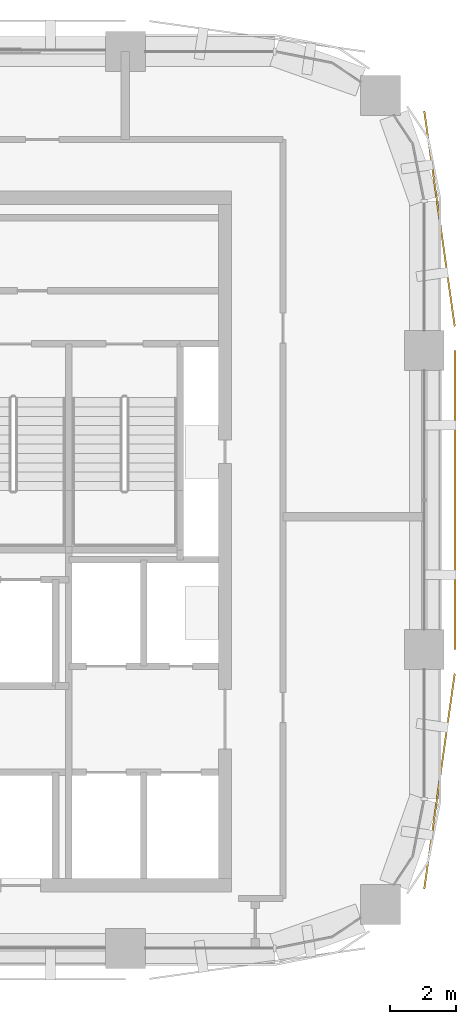
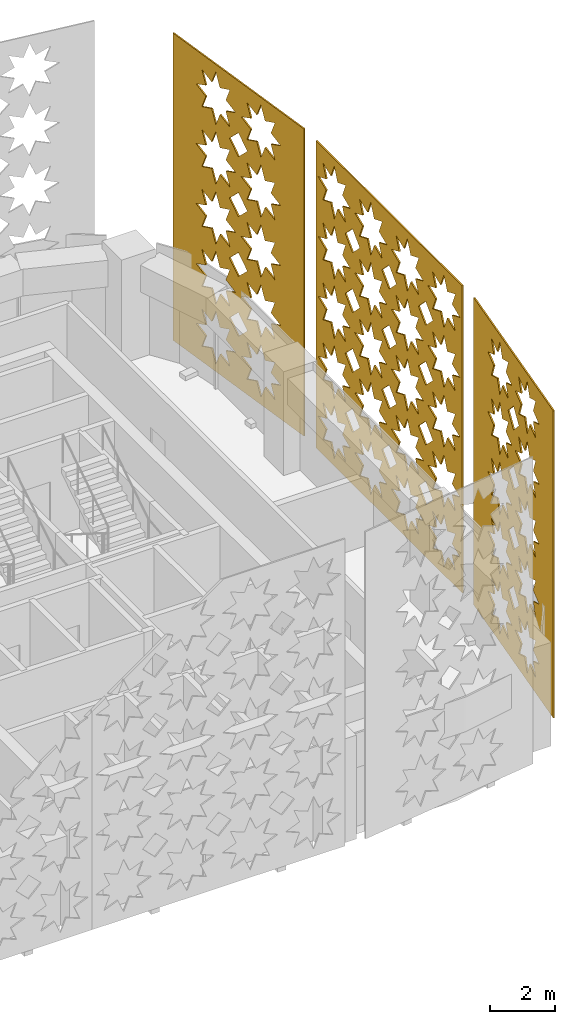
# One storey, part 15 of 15: 3 coverings.
"""IFC4 building model written with IfcOpenShell, lengths in metres."""

from ifc_helpers import new_model, si_unit, direction, frame, origin, place, context, subcontext, project, spatial, polyline, outline, extrude, material, layer, layer_set, type_object, element, save


model = new_model("IFC4")

# Units and contexts
model_context = context("Model", 3, precision=1e-05, world=origin(), true_north=direction((0.0, 1.0)))
body_context = subcontext(model_context, "Body", "Model", "MODEL_VIEW")
ifc_project = project(units=[si_unit("LENGTHUNIT", "METRE"), si_unit("AREAUNIT", "SQUARE_METRE"), si_unit("VOLUMEUNIT", "CUBIC_METRE"), si_unit("PLANEANGLEUNIT", "RADIAN"), si_unit("MASSUNIT", "GRAM", prefix="KILO")], contexts=[model_context])

# Site, building, storey
site_placement = place(None, origin())
site = spatial("IfcSite", under=ifc_project, at=site_placement, CompositionType="ELEMENT")
building_placement = place(site_placement, origin())
building = spatial("IfcBuilding", under=site, at=building_placement, Name="Tessera Arch", CompositionType="ELEMENT")
storey_placement = place(building_placement, frame((0.0, 0.0, 257.89990234375)))
storey = spatial("IfcBuildingStorey", under=building, at=storey_placement, Name="L62", CompositionType="ELEMENT", Elevation=257.89990234375)

# Coverings
ifc_material_1 = material(Name="Anodised aluminium pale metal", Category="aluminium")
ifc_layer_1 = layer(ifc_material_1, 0.050048828125)
ifc_layer_set_1 = layer_set([ifc_layer_1], Name="Pierced screen panel corner bay")
covering_type_1 = type_object("IfcCoveringType", Name="Pierced screen panel corner bay", PredefinedType="CLADDING", material=ifc_layer_set_1)
covering_1_placement = place(storey_placement, frame((54.89111328125, 45.72607421875, 11.7001953125), z_axis=(-0.990141011378, -0.140074186016, 0.0), x_axis=(-0.140074186016, 0.990141011378, 0.0)))
element("IfcCovering", 1, at=covering_1_placement, inside=storey, type_object=covering_type_1, Name="SCREEN pierced panel E54.27/1 L62-L64", PredefinedType="CLADDING", context=body_context, shape_type="SweptSolid", body=[
    extrude(outline(polyline([(0.0, 0.0), (6.546475218445481, 0.0), (6.546475218445481, 11.5400390625), (0.0, 11.5400390625), (0.0, 0.0)]), holes=[polyline([(3.1378926073747033, 10.27001953125), (2.646957140062835, 10.06298828125), (2.8479028079497066, 9.570068359375), (2.354999273675671, 9.77099609375), (2.147907671256942, 9.280029296875), (1.941990539265672, 9.77099609375), (1.4481200704102128, 9.570068359375), (1.6490657382970841, 10.06298828125), (1.158130270985216, 10.27001953125), (1.6490657382970841, 10.47705078125), (1.4481200704102128, 10.97021484375), (1.941990539265672, 10.76904296875), (2.147907671256942, 11.260009765625), (2.354999273675671, 10.76904296875), (2.8479028079497066, 10.97021484375), (2.646957140062835, 10.47705078125), (3.1378926073747033, 10.27001953125)]), polyline([(3.1378926073747033, 8.02001953125), (2.646957140062835, 7.81298828125), (2.8479028079497066, 7.320068359375), (2.354999273675671, 7.52099609375), (2.147907671256942, 7.030029296875), (1.941990539265672, 7.52099609375), (1.4481200704102128, 7.320068359375), (1.6490657382970841, 7.81298828125), (1.158130270985216, 8.02001953125), (1.6490657382970841, 8.22705078125), (1.4481200704102128, 8.72021484375), (1.941990539265672, 8.51904296875), (2.147907671256942, 9.010009765625), (2.354999273675671, 8.51904296875), (2.8479028079497066, 8.72021484375), (2.646957140062835, 8.22705078125), (3.1378926073747033, 8.02001953125)]), polyline([(3.1378926073747033, 5.77001953125), (2.646957140062835, 5.56298828125), (2.8479028079497066, 5.070068359375), (2.354999273675671, 5.27099609375), (2.147907671256942, 4.780029296875), (1.941990539265672, 5.27099609375), (1.4481200704102128, 5.070068359375), (1.6490657382970841, 5.56298828125), (1.158130270985216, 5.77001953125), (1.6490657382970841, 5.97705078125), (1.4481200704102128, 6.47021484375), (1.941990539265672, 6.26904296875), (2.147907671256942, 6.760009765625), (2.354999273675671, 6.26904296875), (2.8479028079497066, 6.47021484375), (2.646957140062835, 5.97705078125), (3.1378926073747033, 5.77001953125)]), polyline([(3.1378926073747033, 3.52001953125), (2.646957140062835, 3.31298828125), (2.8479028079497066, 2.820068359375), (2.354999273675671, 3.02099609375), (2.147907671256942, 2.530029296875), (1.941990539265672, 3.02099609375), (1.4481200704102128, 2.820068359375), (1.6490657382970841, 3.31298828125), (1.158130270985216, 3.52001953125), (1.6490657382970841, 3.72705078125), (1.4481200704102128, 4.22021484375), (1.941990539265672, 4.01904296875), (2.147907671256942, 4.510009765625), (2.354999273675671, 4.01904296875), (2.8479028079497066, 4.22021484375), (2.646957140062835, 3.72705078125), (3.1378926073747033, 3.52001953125)]), polyline([(3.1378926073747033, 1.27001953125), (2.646957140062835, 1.06298828125), (2.8479028079497066, 0.570068359375), (2.354999273675671, 0.77099609375), (2.147907671256942, 0.280029296875), (1.941990539265672, 0.77099609375), (1.4481200704102128, 0.570068359375), (1.6490657382970841, 1.06298828125), (1.158130270985216, 1.27001953125), (1.6490657382970841, 1.47705078125), (1.4481200704102128, 1.97021484375), (1.941990539265672, 1.76904296875), (2.147907671256942, 2.260009765625), (2.354999273675671, 1.76904296875), (2.8479028079497066, 1.97021484375), (2.646957140062835, 1.47705078125), (3.1378926073747033, 1.27001953125)]), polyline([(5.387861480169554, 10.27001953125), (4.896926012857686, 10.06298828125), (5.097871680744557, 9.570068359375), (4.604968146470521, 9.77099609375), (4.398118277697149, 9.280029296875), (4.191959412060523, 9.77099609375), (3.698088943205064, 9.570068359375), (3.899034611091935, 10.06298828125), (3.408099143780067, 10.27001953125), (3.899034611091935, 10.47705078125), (3.698088943205064, 10.97021484375), (4.191959412060523, 10.76904296875), (4.398118277697149, 11.260009765625), (4.604968146470521, 10.76904296875), (5.097871680744557, 10.97021484375), (4.896926012857686, 10.47705078125), (5.387861480169554, 10.27001953125)]), polyline([(5.387861480169554, 8.02001953125), (4.896926012857686, 7.81298828125), (5.097871680744557, 7.320068359375), (4.604968146470521, 7.52099609375), (4.398118277697149, 7.030029296875), (4.191959412060523, 7.52099609375), (3.698088943205064, 7.320068359375), (3.899034611091935, 7.81298828125), (3.408099143780067, 8.02001953125), (3.899034611091935, 8.22705078125), (3.698088943205064, 8.72021484375), (4.191959412060523, 8.51904296875), (4.398118277697149, 9.010009765625), (4.604968146470521, 8.51904296875), (5.097871680744557, 8.72021484375), (4.896926012857686, 8.22705078125), (5.387861480169554, 8.02001953125)]), polyline([(5.387861480169554, 5.77001953125), (4.896926012857686, 5.56298828125), (5.097871680744557, 5.070068359375), (4.604968146470521, 5.27099609375), (4.398118277697149, 4.780029296875), (4.191959412060523, 5.27099609375), (3.698088943205064, 5.070068359375), (3.899034611091935, 5.56298828125), (3.408099143780067, 5.77001953125), (3.899034611091935, 5.97705078125), (3.698088943205064, 6.47021484375), (4.191959412060523, 6.26904296875), (4.398118277697149, 6.760009765625), (4.604968146470521, 6.26904296875), (5.097871680744557, 6.47021484375), (4.896926012857686, 5.97705078125), (5.387861480169554, 5.77001953125)]), polyline([(5.387861480169554, 3.52001953125), (4.896926012857686, 3.31298828125), (5.097871680744557, 2.820068359375), (4.604968146470521, 3.02099609375), (4.398118277697149, 2.530029296875), (4.191959412060523, 3.02099609375), (3.698088943205064, 2.820068359375), (3.899034611091935, 3.31298828125), (3.408099143780067, 3.52001953125), (3.899034611091935, 3.72705078125), (3.698088943205064, 4.22021484375), (4.191959412060523, 4.01904296875), (4.398118277697149, 4.510009765625), (4.604968146470521, 4.01904296875), (5.097871680744557, 4.22021484375), (4.896926012857686, 3.72705078125), (5.387861480169554, 3.52001953125)]), polyline([(5.387861480169554, 1.27001953125), (4.896926012857686, 1.06298828125), (5.097871680744557, 0.570068359375), (4.604968146470521, 0.77099609375), (4.398118277697149, 0.280029296875), (4.191959412060523, 0.77099609375), (3.698088943205064, 0.570068359375), (3.899034611091935, 1.06298828125), (3.408099143780067, 1.27001953125), (3.899034611091935, 1.47705078125), (3.698088943205064, 1.97021484375), (4.191959412060523, 1.76904296875), (4.398118277697149, 2.260009765625), (4.604968146470521, 1.76904296875), (5.097871680744557, 1.97021484375), (4.896926012857686, 1.47705078125), (5.387861480169554, 1.27001953125)]), polyline([(3.7229828105764913, 9.14501953125), (3.2729958755773856, 8.695068359375), (2.823008940578279, 9.14501953125), (3.2729958755773856, 9.59521484375), (3.7229828105764913, 9.14501953125)]), polyline([(3.7229828105764913, 6.89501953125), (3.2729958755773856, 6.445068359375), (2.823008940578279, 6.89501953125), (3.2729958755773856, 7.34521484375), (3.7229828105764913, 6.89501953125)]), polyline([(3.7229828105764913, 4.64501953125), (3.2729958755773856, 4.195068359375), (2.823008940578279, 4.64501953125), (3.2729958755773856, 5.09521484375), (3.7229828105764913, 4.64501953125)]), polyline([(3.7229828105764913, 2.39501953125), (3.2729958755773856, 1.945068359375), (2.823008940578279, 2.39501953125), (3.2729958755773856, 2.84521484375), (3.7229828105764913, 2.39501953125)])]), origin(), (0.0, 0.0, -1.0), 0.050048828125),
])
covering_2_placement = place(storey_placement, frame((53.97412109375, 28.7919921875, 11.7001953125), z_axis=(-0.990141011378, 0.140074186016, 0.0), x_axis=(0.140074186016, 0.990141011378, 0.0)))
element("IfcCovering", 2, at=covering_2_placement, inside=storey, type_object=covering_type_1, Name="SCREEN pierced panel E54.27/2 L62-L64", PredefinedType="CLADDING", context=body_context, shape_type="SweptSolid", body=[
    extrude(outline(polyline([(0.0, 0.0), (6.546475218445481, 0.0), (6.546475218445481, 11.5400390625), (0.0, 11.5400390625), (0.0, 0.0)]), holes=[polyline([(3.137858409575383, 10.27001953125), (2.6469229422635148, 10.06298828125), (2.8479028079497066, 9.570068359375), (2.354999273675671, 9.77099609375), (2.1478734734576217, 9.280029296875), (1.941990539265672, 9.77099609375), (1.447878336764857, 9.570068359375), (1.6490657382970841, 10.06298828125), (1.15788853733986, 10.27001953125), (1.6490657382970841, 10.47705078125), (1.447878336764857, 10.97021484375), (1.941990539265672, 10.76904296875), (2.1478734734576217, 11.260009765625), (2.354999273675671, 10.76904296875), (2.8479028079497066, 10.97021484375), (2.6469229422635148, 10.47705078125), (3.137858409575383, 10.27001953125)]), polyline([(3.137858409575383, 8.02001953125), (2.6469229422635148, 7.81298828125), (2.8479028079497066, 7.320068359375), (2.354999273675671, 7.52099609375), (2.1478734734576217, 7.030029296875), (1.941990539265672, 7.52099609375), (1.447878336764857, 7.320068359375), (1.6490657382970841, 7.81298828125), (1.15788853733986, 8.02001953125), (1.6490657382970841, 8.22705078125), (1.447878336764857, 8.72021484375), (1.941990539265672, 8.51904296875), (2.1478734734576217, 9.010009765625), (2.354999273675671, 8.51904296875), (2.8479028079497066, 8.72021484375), (2.6469229422635148, 8.22705078125), (3.137858409575383, 8.02001953125)]), polyline([(3.137858409575383, 5.77001953125), (2.6469229422635148, 5.56298828125), (2.8479028079497066, 5.070068359375), (2.354999273675671, 5.27099609375), (2.1478734734576217, 4.780029296875), (1.941990539265672, 5.27099609375), (1.447878336764857, 5.070068359375), (1.6490657382970841, 5.56298828125), (1.15788853733986, 5.77001953125), (1.6490657382970841, 5.97705078125), (1.447878336764857, 6.47021484375), (1.941990539265672, 6.26904296875), (2.1478734734576217, 6.760009765625), (2.354999273675671, 6.26904296875), (2.8479028079497066, 6.47021484375), (2.6469229422635148, 5.97705078125), (3.137858409575383, 5.77001953125)]), polyline([(3.137858409575383, 3.52001953125), (2.6469229422635148, 3.31298828125), (2.8479028079497066, 2.820068359375), (2.354999273675671, 3.02099609375), (2.1478734734576217, 2.530029296875), (1.941990539265672, 3.02099609375), (1.447878336764857, 2.820068359375), (1.6490657382970841, 3.31298828125), (1.15788853733986, 3.52001953125), (1.6490657382970841, 3.72705078125), (1.447878336764857, 4.22021484375), (1.941990539265672, 4.01904296875), (2.1478734734576217, 4.510009765625), (2.354999273675671, 4.01904296875), (2.8479028079497066, 4.22021484375), (2.6469229422635148, 3.72705078125), (3.137858409575383, 3.52001953125)]), polyline([(3.137858409575383, 1.27001953125), (2.6469229422635148, 1.06298828125), (2.8479028079497066, 0.570068359375), (2.354999273675671, 0.77099609375), (2.1478734734576217, 0.280029296875), (1.941990539265672, 0.77099609375), (1.447878336764857, 0.570068359375), (1.6490657382970841, 1.06298828125), (1.15788853733986, 1.27001953125), (1.6490657382970841, 1.47705078125), (1.447878336764857, 1.97021484375), (1.941990539265672, 1.76904296875), (2.1478734734576217, 2.260009765625), (2.354999273675671, 1.76904296875), (2.8479028079497066, 1.97021484375), (2.6469229422635148, 1.47705078125), (3.137858409575383, 1.27001953125)]), polyline([(5.387827282370234, 10.27001953125), (4.896891815058366, 10.06298828125), (5.097871680744557, 9.570068359375), (4.604968146470521, 9.77099609375), (4.397842346252473, 9.280029296875), (4.191959412060523, 9.77099609375), (3.698088943205064, 9.570068359375), (3.899034611091935, 10.06298828125), (3.407857410134711, 10.27001953125), (3.899034611091935, 10.47705078125), (3.698088943205064, 10.97021484375), (4.191959412060523, 10.76904296875), (4.397842346252473, 11.260009765625), (4.604968146470521, 10.76904296875), (5.097871680744557, 10.97021484375), (4.896891815058366, 10.47705078125), (5.387827282370234, 10.27001953125)]), polyline([(5.387827282370234, 8.02001953125), (4.896891815058366, 7.81298828125), (5.097871680744557, 7.320068359375), (4.604968146470521, 7.52099609375), (4.397842346252473, 7.030029296875), (4.191959412060523, 7.52099609375), (3.698088943205064, 7.320068359375), (3.899034611091935, 7.81298828125), (3.407857410134711, 8.02001953125), (3.899034611091935, 8.22705078125), (3.698088943205064, 8.72021484375), (4.191959412060523, 8.51904296875), (4.397842346252473, 9.010009765625), (4.604968146470521, 8.51904296875), (5.097871680744557, 8.72021484375), (4.896891815058366, 8.22705078125), (5.387827282370234, 8.02001953125)]), polyline([(5.387827282370234, 5.77001953125), (4.896891815058366, 5.56298828125), (5.097871680744557, 5.070068359375), (4.604968146470521, 5.27099609375), (4.397842346252473, 4.780029296875), (4.191959412060523, 5.27099609375), (3.698088943205064, 5.070068359375), (3.899034611091935, 5.56298828125), (3.407857410134711, 5.77001953125), (3.899034611091935, 5.97705078125), (3.698088943205064, 6.47021484375), (4.191959412060523, 6.26904296875), (4.397842346252473, 6.760009765625), (4.604968146470521, 6.26904296875), (5.097871680744557, 6.47021484375), (4.896891815058366, 5.97705078125), (5.387827282370234, 5.77001953125)]), polyline([(5.387827282370234, 3.52001953125), (4.896891815058366, 3.31298828125), (5.097871680744557, 2.820068359375), (4.604968146470521, 3.02099609375), (4.397842346252473, 2.530029296875), (4.191959412060523, 3.02099609375), (3.698088943205064, 2.820068359375), (3.899034611091935, 3.31298828125), (3.407857410134711, 3.52001953125), (3.899034611091935, 3.72705078125), (3.698088943205064, 4.22021484375), (4.191959412060523, 4.01904296875), (4.397842346252473, 4.510009765625), (4.604968146470521, 4.01904296875), (5.097871680744557, 4.22021484375), (4.896891815058366, 3.72705078125), (5.387827282370234, 3.52001953125)]), polyline([(5.387827282370234, 1.27001953125), (4.896891815058366, 1.06298828125), (5.097871680744557, 0.570068359375), (4.604968146470521, 0.77099609375), (4.397842346252473, 0.280029296875), (4.191959412060523, 0.77099609375), (3.698088943205064, 0.570068359375), (3.899034611091935, 1.06298828125), (3.407857410134711, 1.27001953125), (3.899034611091935, 1.47705078125), (3.698088943205064, 1.97021484375), (4.191959412060523, 1.76904296875), (4.397842346252473, 2.260009765625), (4.604968146470521, 1.76904296875), (5.097871680744557, 1.97021484375), (4.896891815058366, 1.47705078125), (5.387827282370234, 1.27001953125)]), polyline([(3.7229828105764913, 9.14501953125), (3.2729958755773856, 8.695068359375), (2.8229747427789587, 9.14501953125), (3.2729958755773856, 9.59521484375), (3.7229828105764913, 9.14501953125)]), polyline([(3.7229828105764913, 6.89501953125), (3.2729958755773856, 6.445068359375), (2.8229747427789587, 6.89501953125), (3.2729958755773856, 7.34521484375), (3.7229828105764913, 6.89501953125)]), polyline([(3.7229828105764913, 4.64501953125), (3.2729958755773856, 4.195068359375), (2.8229747427789587, 4.64501953125), (3.2729958755773856, 5.09521484375), (3.7229828105764913, 4.64501953125)]), polyline([(3.7229828105764913, 2.39501953125), (3.2729958755773856, 1.945068359375), (2.8229747427789587, 2.39501953125), (3.2729958755773856, 2.84521484375), (3.7229828105764913, 2.39501953125)])]), origin(), (0.0, 0.0, -1.0), 0.050048828125),
])
ifc_material_2 = material(Name="Anodised aluminium pale metal", Category="aluminium")
ifc_layer_2 = layer(ifc_material_2, 0.050048828125)
ifc_layer_set_2 = layer_set([ifc_layer_2], Name="Pierced screen panel straight bay")
covering_type_2 = type_object("IfcCoveringType", Name="Pierced screen panel straight bay", PredefinedType="CLADDING", material=ifc_layer_set_2)
covering_3_placement = place(storey_placement, frame((54.89990234375, 36.0, 11.7001953125), z_axis=(-1.0, 0.0, 0.0), x_axis=(0.0, 1.0, 0.0)))
element("IfcCovering", 3, at=covering_3_placement, inside=storey, type_object=covering_type_2, Name="SCREEN pierced panel E54.27/0 L62-L64", PredefinedType="CLADDING", context=body_context, shape_type="SweptSolid", body=[
    extrude(outline(polyline([(0.0, 0.0), (9.0, 0.0), (9.0, 11.5400390625), (0.0, 11.5400390625), (0.0, 0.0)]), holes=[polyline([(2.114990234375, 10.27001953125), (1.6240234375, 10.06298828125), (1.824951171875, 9.570068359375), (1.33203125, 9.77099609375), (1.125, 9.280029296875), (0.91796875, 9.77099609375), (0.425048828125, 9.570068359375), (0.6259765625, 10.06298828125), (0.135009765625, 10.27001953125), (0.6259765625, 10.47705078125), (0.425048828125, 10.97021484375), (0.91796875, 10.76904296875), (1.125, 11.260009765625), (1.33203125, 10.76904296875), (1.824951171875, 10.97021484375), (1.6240234375, 10.47705078125), (2.114990234375, 10.27001953125)]), polyline([(2.114990234375, 8.02001953125), (1.6240234375, 7.81298828125), (1.824951171875, 7.320068359375), (1.33203125, 7.52099609375), (1.125, 7.030029296875), (0.91796875, 7.52099609375), (0.425048828125, 7.320068359375), (0.6259765625, 7.81298828125), (0.135009765625, 8.02001953125), (0.6259765625, 8.22705078125), (0.425048828125, 8.72021484375), (0.91796875, 8.51904296875), (1.125, 9.010009765625), (1.33203125, 8.51904296875), (1.824951171875, 8.72021484375), (1.6240234375, 8.22705078125), (2.114990234375, 8.02001953125)]), polyline([(2.114990234375, 5.77001953125), (1.6240234375, 5.56298828125), (1.824951171875, 5.070068359375), (1.33203125, 5.27099609375), (1.125, 4.780029296875), (0.91796875, 5.27099609375), (0.425048828125, 5.070068359375), (0.6259765625, 5.56298828125), (0.135009765625, 5.77001953125), (0.6259765625, 5.97705078125), (0.425048828125, 6.47021484375), (0.91796875, 6.26904296875), (1.125, 6.760009765625), (1.33203125, 6.26904296875), (1.824951171875, 6.47021484375), (1.6240234375, 5.97705078125), (2.114990234375, 5.77001953125)]), polyline([(2.114990234375, 3.52001953125), (1.6240234375, 3.31298828125), (1.824951171875, 2.820068359375), (1.33203125, 3.02099609375), (1.125, 2.530029296875), (0.91796875, 3.02099609375), (0.425048828125, 2.820068359375), (0.6259765625, 3.31298828125), (0.135009765625, 3.52001953125), (0.6259765625, 3.72705078125), (0.425048828125, 4.22021484375), (0.91796875, 4.01904296875), (1.125, 4.510009765625), (1.33203125, 4.01904296875), (1.824951171875, 4.22021484375), (1.6240234375, 3.72705078125), (2.114990234375, 3.52001953125)]), polyline([(2.114990234375, 1.27001953125), (1.6240234375, 1.06298828125), (1.824951171875, 0.570068359375), (1.33203125, 0.77099609375), (1.125, 0.280029296875), (0.91796875, 0.77099609375), (0.425048828125, 0.570068359375), (0.6259765625, 1.06298828125), (0.135009765625, 1.27001953125), (0.6259765625, 1.47705078125), (0.425048828125, 1.97021484375), (0.91796875, 1.76904296875), (1.125, 2.260009765625), (1.33203125, 1.76904296875), (1.824951171875, 1.97021484375), (1.6240234375, 1.47705078125), (2.114990234375, 1.27001953125)]), polyline([(4.364990234375, 10.27001953125), (3.8740234375, 10.06298828125), (4.074951171875, 9.570068359375), (3.58203125, 9.77099609375), (3.375, 9.280029296875), (3.16796875, 9.77099609375), (2.675048828125, 9.570068359375), (2.8759765625, 10.06298828125), (2.385009765625, 10.27001953125), (2.8759765625, 10.47705078125), (2.675048828125, 10.97021484375), (3.16796875, 10.76904296875), (3.375, 11.260009765625), (3.58203125, 10.76904296875), (4.074951171875, 10.97021484375), (3.8740234375, 10.47705078125), (4.364990234375, 10.27001953125)]), polyline([(4.364990234375, 8.02001953125), (3.8740234375, 7.81298828125), (4.074951171875, 7.320068359375), (3.58203125, 7.52099609375), (3.375, 7.030029296875), (3.16796875, 7.52099609375), (2.675048828125, 7.320068359375), (2.8759765625, 7.81298828125), (2.385009765625, 8.02001953125), (2.8759765625, 8.22705078125), (2.675048828125, 8.72021484375), (3.16796875, 8.51904296875), (3.375, 9.010009765625), (3.58203125, 8.51904296875), (4.074951171875, 8.72021484375), (3.8740234375, 8.22705078125), (4.364990234375, 8.02001953125)]), polyline([(4.364990234375, 5.77001953125), (3.8740234375, 5.56298828125), (4.074951171875, 5.070068359375), (3.58203125, 5.27099609375), (3.375, 4.780029296875), (3.16796875, 5.27099609375), (2.675048828125, 5.070068359375), (2.8759765625, 5.56298828125), (2.385009765625, 5.77001953125), (2.8759765625, 5.97705078125), (2.675048828125, 6.47021484375), (3.16796875, 6.26904296875), (3.375, 6.760009765625), (3.58203125, 6.26904296875), (4.074951171875, 6.47021484375), (3.8740234375, 5.97705078125), (4.364990234375, 5.77001953125)]), polyline([(4.364990234375, 3.52001953125), (3.8740234375, 3.31298828125), (4.074951171875, 2.820068359375), (3.58203125, 3.02099609375), (3.375, 2.530029296875), (3.16796875, 3.02099609375), (2.675048828125, 2.820068359375), (2.8759765625, 3.31298828125), (2.385009765625, 3.52001953125), (2.8759765625, 3.72705078125), (2.675048828125, 4.22021484375), (3.16796875, 4.01904296875), (3.375, 4.510009765625), (3.58203125, 4.01904296875), (4.074951171875, 4.22021484375), (3.8740234375, 3.72705078125), (4.364990234375, 3.52001953125)]), polyline([(4.364990234375, 1.27001953125), (3.8740234375, 1.06298828125), (4.074951171875, 0.570068359375), (3.58203125, 0.77099609375), (3.375, 0.280029296875), (3.16796875, 0.77099609375), (2.675048828125, 0.570068359375), (2.8759765625, 1.06298828125), (2.385009765625, 1.27001953125), (2.8759765625, 1.47705078125), (2.675048828125, 1.97021484375), (3.16796875, 1.76904296875), (3.375, 2.260009765625), (3.58203125, 1.76904296875), (4.074951171875, 1.97021484375), (3.8740234375, 1.47705078125), (4.364990234375, 1.27001953125)]), polyline([(6.614990234375, 10.27001953125), (6.1240234375, 10.06298828125), (6.324951171875, 9.570068359375), (5.83203125, 9.77099609375), (5.625, 9.280029296875), (5.41796875, 9.77099609375), (4.925048828125, 9.570068359375), (5.1259765625, 10.06298828125), (4.635009765625, 10.27001953125), (5.1259765625, 10.47705078125), (4.925048828125, 10.97021484375), (5.41796875, 10.76904296875), (5.625, 11.260009765625), (5.83203125, 10.76904296875), (6.324951171875, 10.97021484375), (6.1240234375, 10.47705078125), (6.614990234375, 10.27001953125)]), polyline([(6.614990234375, 8.02001953125), (6.1240234375, 7.81298828125), (6.324951171875, 7.320068359375), (5.83203125, 7.52099609375), (5.625, 7.030029296875), (5.41796875, 7.52099609375), (4.925048828125, 7.320068359375), (5.1259765625, 7.81298828125), (4.635009765625, 8.02001953125), (5.1259765625, 8.22705078125), (4.925048828125, 8.72021484375), (5.41796875, 8.51904296875), (5.625, 9.010009765625), (5.83203125, 8.51904296875), (6.324951171875, 8.72021484375), (6.1240234375, 8.22705078125), (6.614990234375, 8.02001953125)]), polyline([(6.614990234375, 5.77001953125), (6.1240234375, 5.56298828125), (6.324951171875, 5.070068359375), (5.83203125, 5.27099609375), (5.625, 4.780029296875), (5.41796875, 5.27099609375), (4.925048828125, 5.070068359375), (5.1259765625, 5.56298828125), (4.635009765625, 5.77001953125), (5.1259765625, 5.97705078125), (4.925048828125, 6.47021484375), (5.41796875, 6.26904296875), (5.625, 6.760009765625), (5.83203125, 6.26904296875), (6.324951171875, 6.47021484375), (6.1240234375, 5.97705078125), (6.614990234375, 5.77001953125)]), polyline([(6.614990234375, 3.52001953125), (6.1240234375, 3.31298828125), (6.324951171875, 2.820068359375), (5.83203125, 3.02099609375), (5.625, 2.530029296875), (5.41796875, 3.02099609375), (4.925048828125, 2.820068359375), (5.1259765625, 3.31298828125), (4.635009765625, 3.52001953125), (5.1259765625, 3.72705078125), (4.925048828125, 4.22021484375), (5.41796875, 4.01904296875), (5.625, 4.510009765625), (5.83203125, 4.01904296875), (6.324951171875, 4.22021484375), (6.1240234375, 3.72705078125), (6.614990234375, 3.52001953125)]), polyline([(6.614990234375, 1.27001953125), (6.1240234375, 1.06298828125), (6.324951171875, 0.570068359375), (5.83203125, 0.77099609375), (5.625, 0.280029296875), (5.41796875, 0.77099609375), (4.925048828125, 0.570068359375), (5.1259765625, 1.06298828125), (4.635009765625, 1.27001953125), (5.1259765625, 1.47705078125), (4.925048828125, 1.97021484375), (5.41796875, 1.76904296875), (5.625, 2.260009765625), (5.83203125, 1.76904296875), (6.324951171875, 1.97021484375), (6.1240234375, 1.47705078125), (6.614990234375, 1.27001953125)]), polyline([(8.864990234375, 10.27001953125), (8.3740234375, 10.06298828125), (8.574951171875, 9.570068359375), (8.08203125, 9.77099609375), (7.875, 9.280029296875), (7.66796875, 9.77099609375), (7.175048828125, 9.570068359375), (7.3759765625, 10.06298828125), (6.885009765625, 10.27001953125), (7.3759765625, 10.47705078125), (7.175048828125, 10.97021484375), (7.66796875, 10.76904296875), (7.875, 11.260009765625), (8.08203125, 10.76904296875), (8.574951171875, 10.97021484375), (8.3740234375, 10.47705078125), (8.864990234375, 10.27001953125)]), polyline([(8.864990234375, 8.02001953125), (8.3740234375, 7.81298828125), (8.574951171875, 7.320068359375), (8.08203125, 7.52099609375), (7.875, 7.030029296875), (7.66796875, 7.52099609375), (7.175048828125, 7.320068359375), (7.3759765625, 7.81298828125), (6.885009765625, 8.02001953125), (7.3759765625, 8.22705078125), (7.175048828125, 8.72021484375), (7.66796875, 8.51904296875), (7.875, 9.010009765625), (8.08203125, 8.51904296875), (8.574951171875, 8.72021484375), (8.3740234375, 8.22705078125), (8.864990234375, 8.02001953125)]), polyline([(8.864990234375, 5.77001953125), (8.3740234375, 5.56298828125), (8.574951171875, 5.070068359375), (8.08203125, 5.27099609375), (7.875, 4.780029296875), (7.66796875, 5.27099609375), (7.175048828125, 5.070068359375), (7.3759765625, 5.56298828125), (6.885009765625, 5.77001953125), (7.3759765625, 5.97705078125), (7.175048828125, 6.47021484375), (7.66796875, 6.26904296875), (7.875, 6.760009765625), (8.08203125, 6.26904296875), (8.574951171875, 6.47021484375), (8.3740234375, 5.97705078125), (8.864990234375, 5.77001953125)]), polyline([(8.864990234375, 3.52001953125), (8.3740234375, 3.31298828125), (8.574951171875, 2.820068359375), (8.08203125, 3.02099609375), (7.875, 2.530029296875), (7.66796875, 3.02099609375), (7.175048828125, 2.820068359375), (7.3759765625, 3.31298828125), (6.885009765625, 3.52001953125), (7.3759765625, 3.72705078125), (7.175048828125, 4.22021484375), (7.66796875, 4.01904296875), (7.875, 4.510009765625), (8.08203125, 4.01904296875), (8.574951171875, 4.22021484375), (8.3740234375, 3.72705078125), (8.864990234375, 3.52001953125)]), polyline([(8.864990234375, 1.27001953125), (8.3740234375, 1.06298828125), (8.574951171875, 0.570068359375), (8.08203125, 0.77099609375), (7.875, 0.280029296875), (7.66796875, 0.77099609375), (7.175048828125, 0.570068359375), (7.3759765625, 1.06298828125), (6.885009765625, 1.27001953125), (7.3759765625, 1.47705078125), (7.175048828125, 1.97021484375), (7.66796875, 1.76904296875), (7.875, 2.260009765625), (8.08203125, 1.76904296875), (8.574951171875, 1.97021484375), (8.3740234375, 1.47705078125), (8.864990234375, 1.27001953125)]), polyline([(2.699951171875, 9.14501953125), (2.25, 8.695068359375), (1.800048828125, 9.14501953125), (2.25, 9.59521484375), (2.699951171875, 9.14501953125)]), polyline([(2.699951171875, 6.89501953125), (2.25, 6.445068359375), (1.800048828125, 6.89501953125), (2.25, 7.34521484375), (2.699951171875, 6.89501953125)]), polyline([(2.699951171875, 4.64501953125), (2.25, 4.195068359375), (1.800048828125, 4.64501953125), (2.25, 5.09521484375), (2.699951171875, 4.64501953125)]), polyline([(2.699951171875, 2.39501953125), (2.25, 1.945068359375), (1.800048828125, 2.39501953125), (2.25, 2.84521484375), (2.699951171875, 2.39501953125)]), polyline([(4.949951171875, 9.14501953125), (4.5, 8.695068359375), (4.050048828125, 9.14501953125), (4.5, 9.59521484375), (4.949951171875, 9.14501953125)]), polyline([(4.949951171875, 6.89501953125), (4.5, 6.445068359375), (4.050048828125, 6.89501953125), (4.5, 7.34521484375), (4.949951171875, 6.89501953125)]), polyline([(4.949951171875, 4.64501953125), (4.5, 4.195068359375), (4.050048828125, 4.64501953125), (4.5, 5.09521484375), (4.949951171875, 4.64501953125)]), polyline([(4.949951171875, 2.39501953125), (4.5, 1.945068359375), (4.050048828125, 2.39501953125), (4.5, 2.84521484375), (4.949951171875, 2.39501953125)]), polyline([(7.199951171875, 9.14501953125), (6.75, 8.695068359375), (6.300048828125, 9.14501953125), (6.75, 9.59521484375), (7.199951171875, 9.14501953125)]), polyline([(7.199951171875, 6.89501953125), (6.75, 6.445068359375), (6.300048828125, 6.89501953125), (6.75, 7.34521484375), (7.199951171875, 6.89501953125)]), polyline([(7.199951171875, 4.64501953125), (6.75, 4.195068359375), (6.300048828125, 4.64501953125), (6.75, 5.09521484375), (7.199951171875, 4.64501953125)]), polyline([(7.199951171875, 2.39501953125), (6.75, 1.945068359375), (6.300048828125, 2.39501953125), (6.75, 2.84521484375), (7.199951171875, 2.39501953125)])]), origin(), (0.0, 0.0, -1.0), 0.050048828125),
])

save(model, "model.ifc")
